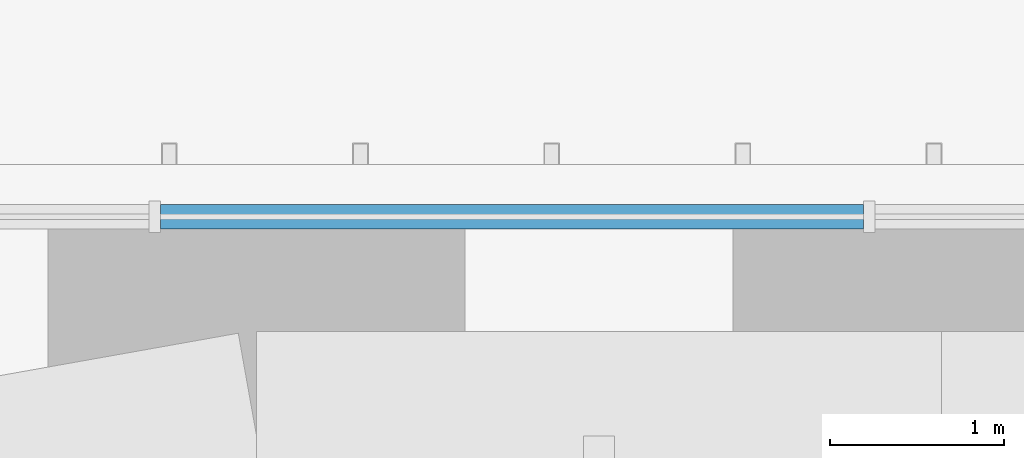
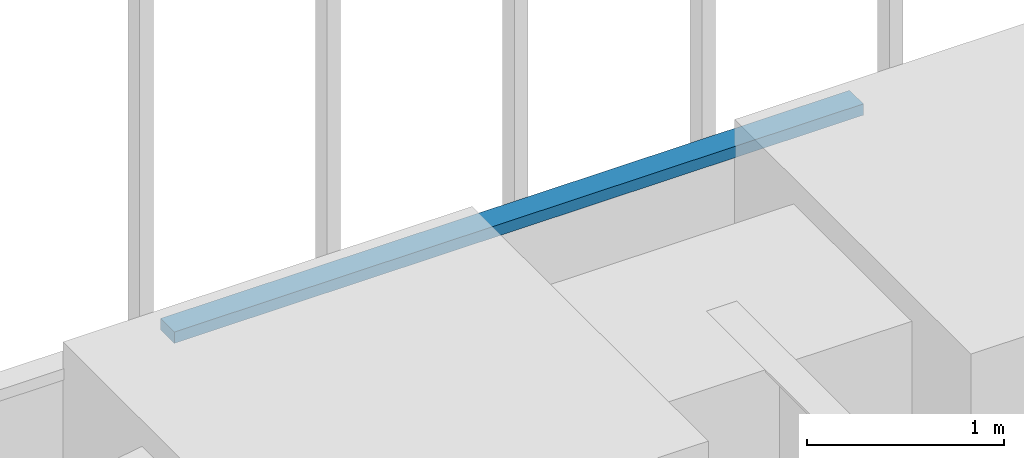
# One storey, part 156 of 238: 1 member, 1 element without a shape of its own.
"""IFC4 building model written with IfcOpenShell, lengths in metres."""

from ifc_helpers import new_model, si_unit, direction, frame, origin, origin_2d, place, context, subcontext, project, spatial, rectangle, extrude, material, material_profile, profile_set, type_object, element, aggregate, save


model = new_model("IFC4")

# Units and contexts
model_context = context("Model", 3, precision=1e-05, world=origin(), true_north=direction((0.0, 1.0)))
body_context = subcontext(model_context, "Body", "Model", "MODEL_VIEW")
ifc_project = project(units=[si_unit("LENGTHUNIT", "METRE"), si_unit("AREAUNIT", "SQUARE_METRE"), si_unit("VOLUMEUNIT", "CUBIC_METRE"), si_unit("PLANEANGLEUNIT", "RADIAN"), si_unit("MASSUNIT", "GRAM", prefix="KILO")], contexts=[model_context])

# Site, building, storey
site_placement = place(None, origin())
site = spatial("IfcSite", under=ifc_project, at=site_placement, CompositionType="ELEMENT")
building_placement = place(site_placement, origin())
building = spatial("IfcBuilding", under=site, at=building_placement, Name="Sandreach Pilgrim Tower", CompositionType="ELEMENT")
storey_placement = place(building_placement, frame((0.0, 0.0, 96.800048828125)))
storey = spatial("IfcBuildingStorey", under=building, at=storey_placement, Name="L23", CompositionType="ELEMENT", Elevation=96.800048828125)

# Curtain wall, member
ifc_material_1 = material(Name="Aluminium framed curtain wall", Category="aluminium")
curtain_wall_type = type_object("IfcCurtainWallType", Name="Hotel tower curtain wall", PredefinedType="NOTDEFINED", material=ifc_material_1)
curtain_wall_placement = place(storey_placement, origin())
curtain_wall = element("IfcCurtainWall", 1, at=curtain_wall_placement, inside=storey, type_object=curtain_wall_type, Name="CW-2 L23 N", PredefinedType="NOTDEFINED")
ifc_material_2 = material(Name="Aluminium extrusion", Category="aluminium")
ifc_material_profile = material_profile(ifc_material_2, rectangle(XDim=0.139892578125, YDim=0.070068359375, at=origin_2d()), Name="CW-2T 140X70")
ifc_profile_set = profile_set([ifc_material_profile], Name="Aluminium extrusion")
member_type = type_object("IfcMemberType", Name="CW-2 transom", PredefinedType="USERDEFINED", material=ifc_profile_set)
member_placement = place(storey_placement, frame((-14.341796875, 22.493896484375, 3.60498046875), z_axis=(1.0, 0.0, 0.0), x_axis=(0.0, 1.0, 0.0)))
member = element("IfcMember", 2, at=member_placement, type_object=member_type, Name="CW-2 head transom 2", ObjectType="TRANSOM", PredefinedType="USERDEFINED", context=body_context, shape_type="SweptSolid", body=[
    extrude(rectangle(XDim=0.139892578125, YDim=0.070068359375, at=origin_2d()), origin(), (0.0, 0.0, 1.0), 4.041748046875),
])
aggregate(curtain_wall, [member])

save(model, "model.ifc")
